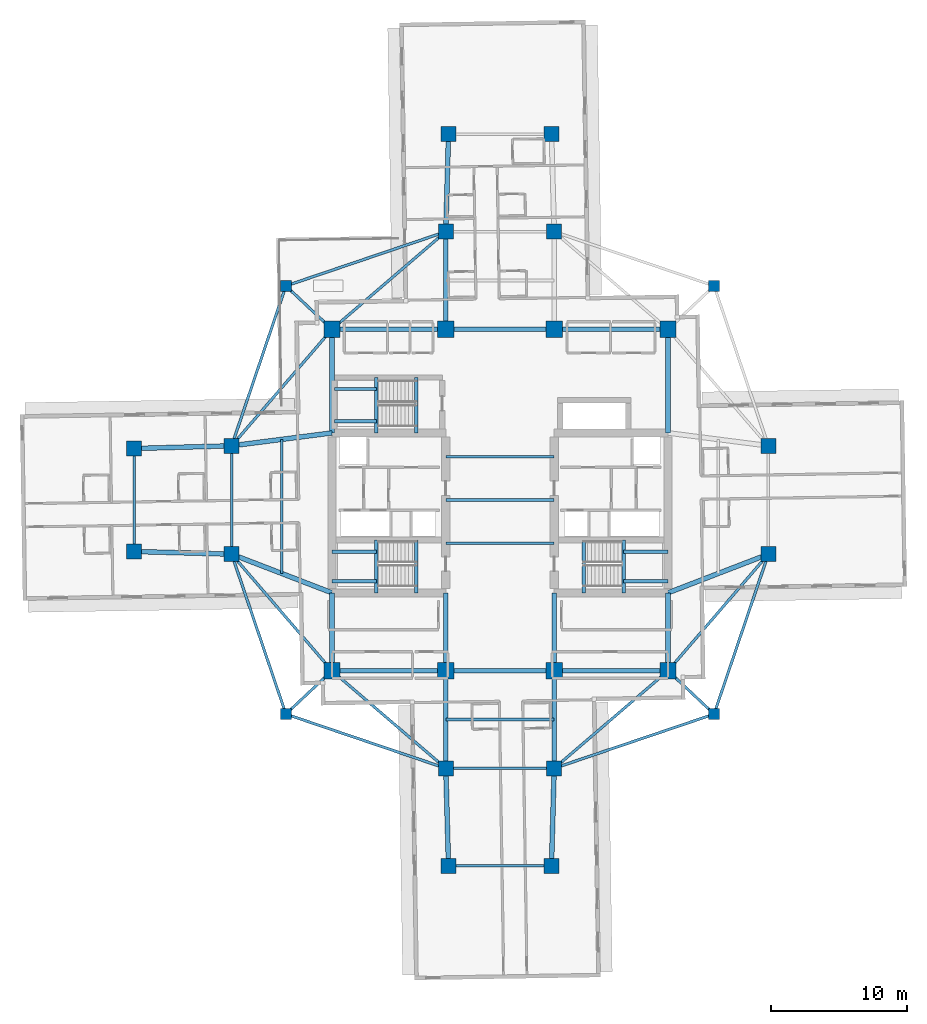
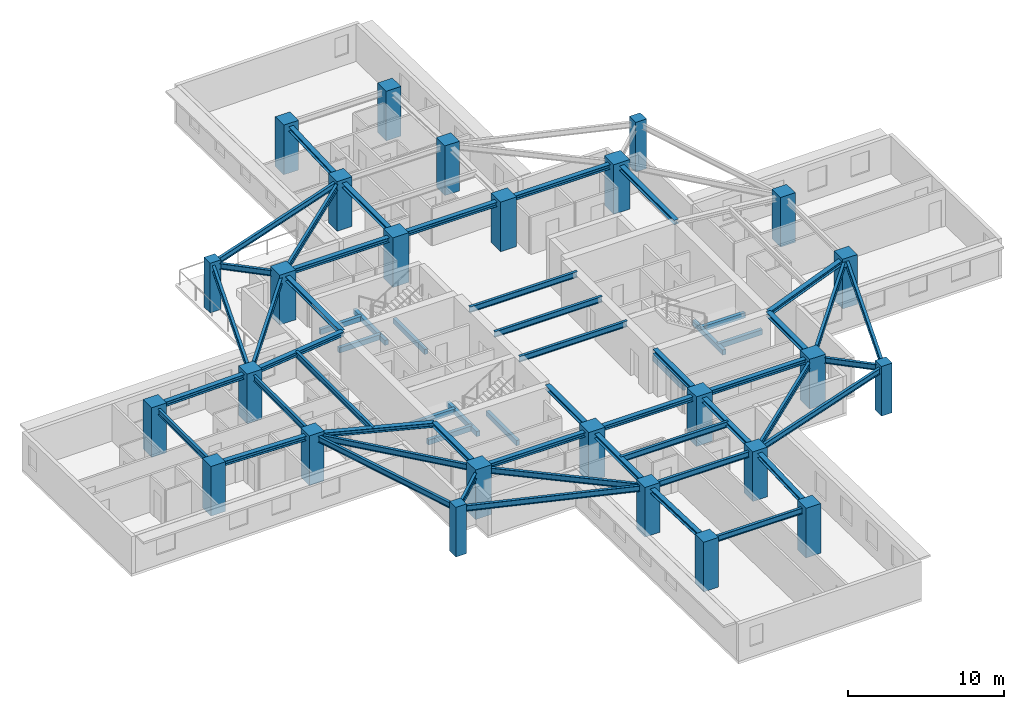
# One storey, part 1 of 13: 59 beams, 26 columns.
"""IFC4 building model written with IfcOpenShell, lengths in metres."""

from ifc_helpers import new_model, si_unit, direction, frame, origin, origin_2d, place, context, subcontext, project, spatial, rectangle, i_section, extrude, material, material_profile, profile_set, type_object, element, save


model = new_model("IFC4")

# Units and contexts
model_context = context("Model", 3, precision=1e-05, world=origin(), true_north=direction((0.0, 1.0)))
body_context = subcontext(model_context, "Body", "Model", "MODEL_VIEW")
ifc_project = project(units=[si_unit("LENGTHUNIT", "METRE"), si_unit("AREAUNIT", "SQUARE_METRE"), si_unit("VOLUMEUNIT", "CUBIC_METRE"), si_unit("PLANEANGLEUNIT", "RADIAN"), si_unit("MASSUNIT", "GRAM", prefix="KILO")], contexts=[model_context])

# Site, building, storey
site_placement = place(None, origin())
site = spatial("IfcSite", under=ifc_project, at=site_placement, CompositionType="ELEMENT")
building_placement = place(site_placement, origin())
building = spatial("IfcBuilding", under=site, at=building_placement, Name="Qingluan Cross Belvedere", CompositionType="ELEMENT")
storey_placement = place(building_placement, frame((0.0, 0.0, 139.800048828125)))
storey = spatial("IfcBuildingStorey", under=building, at=storey_placement, Name="L35", CompositionType="ELEMENT", Elevation=139.800048828125)

# Columns
ifc_material_1 = material(Name="Concrete C60", Category="concrete")
ifc_material_profile_1 = material_profile(ifc_material_1, rectangle(XDim=1.10009765625, YDim=1.10009765625, at=origin_2d()), Name="RC1100x1100")
ifc_profile_set_1 = profile_set([ifc_material_profile_1], Name="Concrete C60")
column_type_1 = type_object("IfcColumnType", Name="Column_RC1100x1100", PredefinedType="COLUMN", material=ifc_profile_set_1)
for number, where, z_axis, x_axis, name in (
    (1, (19.800048828125, -4.0, 0.0), (0.0, 0.0, 1.0), (1.0, 0.0, 0.0), "Arm column L35-EIA"),
    (2, (19.800048828125, 4.0, 0.0), (0.0, 0.0, 1.0), (1.0, 0.0, 0.0), "Arm column L35-EIB"),
    (3, (-19.800048828125, -4.0, 0.0), (0.0, 0.0, 1.0), (1.0, 0.0, 0.0), "Arm column L35-WIA"),
    (4, (-19.800048828125, 4.0, 0.0), (0.0, 0.0, 1.0), (1.0, 0.0, 0.0), "Arm column L35-WIB"),
    (5, (-4.0, -19.800048828125, 0.0), (0.0, 0.0, 1.0), (1.0, 0.0, 0.0), "Arm column L35-SIA"),
    (6, (4.0, -19.800048828125, 0.0), (0.0, 0.0, 1.0), (1.0, 0.0, 0.0), "Arm column L35-SIB"),
    (7, (-4.0, 19.800048828125, 0.0), (0.0, 0.0, 1.0), (1.0, 0.0, 0.0), "Arm column L35-NIA"),
    (8, (4.0, 19.800048828125, 0.0), (0.0, 0.0, 1.0), (1.0, 0.0, 0.0), "Arm column L35-NIB"),
    (9, (-27.0, -3.800048828125, 0.0), (0.0, 0.0, 1.0), (1.0, 0.0, 0.0), "Arm column L35-WOA"),
    (10, (-27.0, 3.800048828125, 0.0), (0.0, 0.0, 1.0), (1.0, 0.0, 0.0), "Arm column L35-WOB"),
    (11, (-3.800048828125, -27.0, 0.0), (0.0, 0.0, 1.0), (1.0, 0.0, 0.0), "Arm column L35-SOA"),
    (12, (3.800048828125, -27.0, 0.0), (0.0, 0.0, 1.0), (1.0, 0.0, 0.0), "Arm column L35-SOB"),
    (13, (-3.800048828125, 27.0, 0.0), (0.0, 0.0, 1.0), (1.0, 0.0, 0.0), "Arm column L35-NOA"),
    (14, (3.800048828125, 27.0, 0.0), (0.0, 0.0, 1.0), (1.0, 0.0, 0.0), "Arm column L35-NOB"),
):
    element("IfcColumn", number, at=place(storey_placement, frame(where, z_axis=z_axis, x_axis=x_axis)), inside=storey, type_object=column_type_1, Name=name, PredefinedType="COLUMN", context=body_context, shape_type="SweptSolid", body=[
        extrude(rectangle(XDim=1.10009765625, YDim=1.10009765625, at=origin_2d()), origin(), (0.0, 0.0, 1.0), 3.89990234375),
    ])
ifc_material_2 = material(Name="Concrete C60", Category="concrete")
ifc_material_profile_2 = material_profile(ifc_material_2, rectangle(XDim=1.199951171875, YDim=1.199951171875, at=origin_2d()), Name="RC1200x1200")
ifc_profile_set_2 = profile_set([ifc_material_profile_2], Name="Concrete C60")
column_type_2 = type_object("IfcColumnType", Name="Column_RC1200x1200", PredefinedType="COLUMN", material=ifc_profile_set_2)
for number, where, z_axis, x_axis, name in (
    (15, (-12.39990234375, -12.60009765625, 0.0), (0.0, 0.0, 1.0), (1.0, 0.0, 0.0), "Hub column L35-HC1"),
    (16, (12.39990234375, -12.60009765625, 0.0), (0.0, 0.0, 1.0), (1.0, 0.0, 0.0), "Hub column L35-HC2"),
    (17, (12.39990234375, 12.60009765625, 0.0), (0.0, 0.0, 1.0), (1.0, 0.0, 0.0), "Hub column L35-HC3"),
    (18, (-12.39990234375, 12.60009765625, 0.0), (0.0, 0.0, 1.0), (1.0, 0.0, 0.0), "Hub column L35-HC4"),
    (19, (-4.0, -12.60009765625, 0.0), (0.0, 0.0, 1.0), (1.0, 0.0, 0.0), "Hub column L35-HC5"),
    (20, (4.0, -12.60009765625, 0.0), (0.0, 0.0, 1.0), (1.0, 0.0, 0.0), "Hub column L35-HC6"),
    (21, (4.0, 12.60009765625, 0.0), (0.0, 0.0, 1.0), (1.0, 0.0, 0.0), "Hub column L35-HC7"),
    (22, (-4.0, 12.60009765625, 0.0), (0.0, 0.0, 1.0), (1.0, 0.0, 0.0), "Hub column L35-HC8"),
):
    element("IfcColumn", number, at=place(storey_placement, frame(where, z_axis=z_axis, x_axis=x_axis)), inside=storey, type_object=column_type_2, Name=name, PredefinedType="COLUMN", context=body_context, shape_type="SweptSolid", body=[
        extrude(rectangle(XDim=1.199951171875, YDim=1.199951171875, at=origin_2d()), origin(), (0.0, 0.0, 1.0), 3.89990234375),
    ])
ifc_material_3 = material(Name="Concrete C50", Category="concrete")
ifc_material_profile_3 = material_profile(ifc_material_3, rectangle(XDim=0.800048828125, YDim=0.800048828125, at=origin_2d()), Name="RC800x800")
ifc_profile_set_3 = profile_set([ifc_material_profile_3], Name="Concrete C50")
column_type_3 = type_object("IfcColumnType", Name="Column_RC800x800", PredefinedType="COLUMN", material=ifc_profile_set_3)
for number, where, z_axis, x_axis, name in (
    (23, (15.800048828125, 15.800048828125, 0.0), (0.0, 0.0, 1.0), (1.0, 0.0, 0.0), "Corner column L35-RNE"),
    (24, (-15.800048828125, 15.800048828125, 0.0), (0.0, 0.0, 1.0), (1.0, 0.0, 0.0), "Corner column L35-RNW"),
    (25, (-15.800048828125, -15.800048828125, 0.0), (0.0, 0.0, 1.0), (1.0, 0.0, 0.0), "Corner column L35-RSW"),
    (26, (15.800048828125, -15.800048828125, 0.0), (0.0, 0.0, 1.0), (1.0, 0.0, 0.0), "Corner column L35-RSE"),
):
    element("IfcColumn", number, at=place(storey_placement, frame(where, z_axis=z_axis, x_axis=x_axis)), inside=storey, type_object=column_type_3, Name=name, PredefinedType="COLUMN", context=body_context, shape_type="SweptSolid", body=[
        extrude(rectangle(XDim=0.800048828125, YDim=0.800048828125, at=origin_2d()), origin(), (0.0, 0.0, 1.0), 3.89990234375),
    ])

# Beams
ifc_material_4 = material(Name="Concrete C45", Category="concrete")
ifc_material_profile_4 = material_profile(ifc_material_4, rectangle(XDim=0.25, YDim=0.39990234375, at=origin_2d()), Name="RC250x400")
ifc_profile_set_4 = profile_set([ifc_material_profile_4], Name="Concrete C45")
beam_type_1 = type_object("IfcBeamType", Name="RC_Lintel_RC250x400", PredefinedType="LINTEL", material=ifc_profile_set_4)
for number, where, z_axis, x_axis, name in (
    (27, (-6.179931640625, -6.85009765625, -0.199951171875), (0.0, 1.0, 0.0), (-1.0, 0.0, 0.0), "Stair ST1 landing beam L35"),
    (28, (6.179931640625, -6.85009765625, -0.199951171875), (0.0, 1.0, 0.0), (-1.0, 0.0, 0.0), "Stair ST2 landing beam L35"),
):
    element("IfcBeam", number, at=place(storey_placement, frame(where, z_axis=z_axis, x_axis=x_axis)), inside=storey, type_object=beam_type_1, Name=name, PredefinedType="LINTEL", context=body_context, shape_type="SweptSolid", body=[
        extrude(rectangle(XDim=0.25, YDim=0.39990234375, at=origin_2d()), origin(), (0.0, 0.0, 1.0), 3.89013671875),
    ])
beam_1_placement = place(storey_placement, frame((-6.179931640625, 4.949951171875, -0.199951171875), z_axis=(0.0, 1.0, 0.0), x_axis=(-1.0, 0.0, 0.0)))
element("IfcBeam", 29, at=beam_1_placement, inside=storey, type_object=beam_type_1, Name="Stair ST3 landing beam L35", PredefinedType="LINTEL", context=body_context, shape_type="SweptSolid", body=[
    extrude(rectangle(XDim=0.25, YDim=0.39990234375, at=origin_2d()), origin(), (0.0, 0.0, 1.0), 4.090087890625),
])
beam_2_placement = place(storey_placement, frame((-9.1298828125, -6.85009765625, 1.550048828125), z_axis=(0.0, 1.0, 0.0), x_axis=(-1.0, 0.0, 0.0)))
element("IfcBeam", 30, at=beam_2_placement, inside=storey, type_object=beam_type_1, Name="Stair ST1 beam A L35", PredefinedType="LINTEL", context=body_context, shape_type="SweptSolid", body=[
    extrude(rectangle(XDim=0.25, YDim=0.39990234375, at=origin_2d()), origin(), (0.0, 0.0, 1.0), 3.89013671875),
])
for number, where, z_axis, x_axis, name in (
    (31, (-12.39990234375, -6.0, 1.550048828125), (1.0, 0.0, 0.0), (0.0, 1.0, 0.0), "Stair ST1 beam B L35"),
    (32, (-12.39990234375, -3.81005859375, 1.550048828125), (1.0, 0.0, 0.0), (0.0, 1.0, 0.0), "Stair ST1 beam C L35"),
):
    element("IfcBeam", number, at=place(storey_placement, frame(where, z_axis=z_axis, x_axis=x_axis)), inside=storey, type_object=beam_type_1, Name=name, PredefinedType="LINTEL", context=body_context, shape_type="SweptSolid", body=[
        extrude(rectangle(XDim=0.25, YDim=0.39990234375, at=origin_2d()), origin(), (0.0, 0.0, 1.0), 3.27001953125),
    ])
beam_3_placement = place(storey_placement, frame((9.1298828125, -6.85009765625, 1.550048828125), z_axis=(0.0, 1.0, 0.0), x_axis=(-1.0, 0.0, 0.0)))
element("IfcBeam", 33, at=beam_3_placement, inside=storey, type_object=beam_type_1, Name="Stair ST2 beam A L35", PredefinedType="LINTEL", context=body_context, shape_type="SweptSolid", body=[
    extrude(rectangle(XDim=0.25, YDim=0.39990234375, at=origin_2d()), origin(), (0.0, 0.0, 1.0), 3.89013671875),
])
for number, where, z_axis, x_axis, name in (
    (34, (12.39990234375, -6.0, 1.550048828125), (-1.0, 0.0, 0.0), (0.0, -1.0, 0.0), "Stair ST2 beam B L35"),
    (35, (12.39990234375, -3.81005859375, 1.550048828125), (-1.0, 0.0, 0.0), (0.0, -1.0, 0.0), "Stair ST2 beam C L35"),
):
    element("IfcBeam", number, at=place(storey_placement, frame(where, z_axis=z_axis, x_axis=x_axis)), inside=storey, type_object=beam_type_1, Name=name, PredefinedType="LINTEL", context=body_context, shape_type="SweptSolid", body=[
        extrude(rectangle(XDim=0.25, YDim=0.39990234375, at=origin_2d()), origin(), (0.0, 0.0, 1.0), 3.27001953125),
    ])
beam_4_placement = place(storey_placement, frame((-9.1298828125, 4.949951171875, 1.550048828125), z_axis=(0.0, 1.0, 0.0), x_axis=(-1.0, 0.0, 0.0)))
element("IfcBeam", 36, at=beam_4_placement, inside=storey, type_object=beam_type_1, Name="Stair ST3 beam A L35", PredefinedType="LINTEL", context=body_context, shape_type="SweptSolid", body=[
    extrude(rectangle(XDim=0.25, YDim=0.39990234375, at=origin_2d()), origin(), (0.0, 0.0, 1.0), 4.090087890625),
])
for number, where, z_axis, x_axis, name in (
    (37, (-12.219970703125, 5.800048828125, 1.550048828125), (1.0, 0.0, 0.0), (0.0, 1.0, 0.0), "Stair ST3 beam B L35"),
    (38, (-12.219970703125, 8.18994140625, 1.550048828125), (1.0, 0.0, 0.0), (0.0, 1.0, 0.0), "Stair ST3 beam C L35"),
):
    element("IfcBeam", number, at=place(storey_placement, frame(where, z_axis=z_axis, x_axis=x_axis)), inside=storey, type_object=beam_type_1, Name=name, PredefinedType="LINTEL", context=body_context, shape_type="SweptSolid", body=[
        extrude(rectangle(XDim=0.25, YDim=0.39990234375, at=origin_2d()), origin(), (0.0, 0.0, 1.0), 3.090087890625),
    ])
ifc_material_5 = material(Name="Steel Q420GJB", Category="steel")
ifc_material_profile_5 = material_profile(ifc_material_5, i_section(OverallWidth=0.199951171875, OverallDepth=0.449951171875, WebThickness=0.009033203125, FlangeThickness=0.013916015625, FilletRadius=0.01611328125, at=origin_2d()), Name="HN450x200x9x14")
ifc_profile_set_5 = profile_set([ifc_material_profile_5], Name="Steel Q420GJB")
beam_type_2 = type_object("IfcBeamType", Name="Steel_Beam_HN450x200x9x14", PredefinedType="JOIST", material=ifc_profile_set_5)
beam_5_placement = place(storey_placement, frame((-12.39990234375, 12.60009765625, 3.425048828125), z_axis=(-0.728219948308, 0.685343495546, 0.0), x_axis=(-0.685343495546, -0.728219948308, 0.0)))
element("IfcBeam", 39, at=beam_5_placement, inside=storey, type_object=beam_type_2, Name="Corner beam 1 L35-RNW", PredefinedType="JOIST", context=body_context, shape_type="SweptSolid", body=[
    extrude(i_section(OverallWidth=0.199951171875, OverallDepth=0.449951171875, WebThickness=0.009033203125, FlangeThickness=0.013916015625, FilletRadius=0.01611328125, at=origin_2d()), origin(), (0.0, 0.0, 1.0), 4.669189453125),
])
for number, where, z_axis, x_axis, name in (
    (40, (-15.800048828125, 15.800048828125, 3.425048828125), (0.947066283324, 0.321038089628, 0.0), (-0.321038089628, 0.947066283324, 0.0), "Corner beam 2 L35-RNW"),
    (41, (-15.800048828125, 15.800048828125, 3.425048828125), (-0.321038089628, -0.947066283324, 0.0), (0.947066283324, -0.321038089628, 0.0), "Corner beam 3 L35-RNW"),
):
    element("IfcBeam", number, at=place(storey_placement, frame(where, z_axis=z_axis, x_axis=x_axis)), inside=storey, type_object=beam_type_2, Name=name, PredefinedType="JOIST", context=body_context, shape_type="SweptSolid", body=[
        extrude(i_section(OverallWidth=0.199951171875, OverallDepth=0.449951171875, WebThickness=0.009033203125, FlangeThickness=0.013916015625, FilletRadius=0.01611328125, at=origin_2d()), origin(), (0.0, 0.0, 1.0), 12.45947265625),
    ])
beam_6_placement = place(storey_placement, frame((-12.39990234375, 12.60009765625, 3.425048828125), z_axis=(-0.652245077546, -0.75800815221, 0.0), x_axis=(0.75800815221, -0.652245077546, 0.0)))
element("IfcBeam", 42, at=beam_6_placement, inside=storey, type_object=beam_type_2, Name="Corner beam 4 L35-RNW", PredefinedType="JOIST", context=body_context, shape_type="SweptSolid", body=[
    extrude(i_section(OverallWidth=0.199951171875, OverallDepth=0.449951171875, WebThickness=0.009033203125, FlangeThickness=0.013916015625, FilletRadius=0.01611328125, at=origin_2d()), origin(), (0.0, 0.0, 1.0), 11.345703125),
])
beam_7_placement = place(storey_placement, frame((-12.39990234375, 12.60009765625, 3.425048828125), z_axis=(0.759255044656, 0.650793190779, 0.0), x_axis=(-0.650793190779, 0.759255044656, 0.0)))
element("IfcBeam", 43, at=beam_7_placement, inside=storey, type_object=beam_type_2, Name="Corner beam 5 L35-RNW", PredefinedType="JOIST", context=body_context, shape_type="SweptSolid", body=[
    extrude(i_section(OverallWidth=0.199951171875, OverallDepth=0.449951171875, WebThickness=0.009033203125, FlangeThickness=0.013916015625, FilletRadius=0.01611328125, at=origin_2d()), origin(), (0.0, 0.0, 1.0), 11.063232421875),
])
beam_8_placement = place(storey_placement, frame((-12.39990234375, -12.60009765625, 3.425048828125), z_axis=(-0.728219948308, -0.685343495546, 0.0), x_axis=(0.685343495546, -0.728219948308, 0.0)))
element("IfcBeam", 44, at=beam_8_placement, inside=storey, type_object=beam_type_2, Name="Corner beam 1 L35-RSW", PredefinedType="JOIST", context=body_context, shape_type="SweptSolid", body=[
    extrude(i_section(OverallWidth=0.199951171875, OverallDepth=0.449951171875, WebThickness=0.009033203125, FlangeThickness=0.013916015625, FilletRadius=0.01611328125, at=origin_2d()), origin(), (0.0, 0.0, 1.0), 4.669189453125),
])
for number, where, z_axis, x_axis, name in (
    (45, (-15.800048828125, -15.800048828125, 3.425048828125), (0.947066283324, -0.321038089628, 0.0), (0.321038089628, 0.947066283324, 0.0), "Corner beam 2 L35-RSW"),
    (46, (-15.800048828125, -15.800048828125, 3.425048828125), (-0.321038089628, 0.947066283324, 0.0), (-0.947066283324, -0.321038089628, 0.0), "Corner beam 3 L35-RSW"),
):
    element("IfcBeam", number, at=place(storey_placement, frame(where, z_axis=z_axis, x_axis=x_axis)), inside=storey, type_object=beam_type_2, Name=name, PredefinedType="JOIST", context=body_context, shape_type="SweptSolid", body=[
        extrude(i_section(OverallWidth=0.199951171875, OverallDepth=0.449951171875, WebThickness=0.009033203125, FlangeThickness=0.013916015625, FilletRadius=0.01611328125, at=origin_2d()), origin(), (0.0, 0.0, 1.0), 12.45947265625),
    ])
beam_9_placement = place(storey_placement, frame((-12.39990234375, -12.60009765625, 3.425048828125), z_axis=(-0.652245077546, 0.75800815221, 0.0), x_axis=(-0.75800815221, -0.652245077546, 0.0)))
element("IfcBeam", 47, at=beam_9_placement, inside=storey, type_object=beam_type_2, Name="Corner beam 4 L35-RSW", PredefinedType="JOIST", context=body_context, shape_type="SweptSolid", body=[
    extrude(i_section(OverallWidth=0.199951171875, OverallDepth=0.449951171875, WebThickness=0.009033203125, FlangeThickness=0.013916015625, FilletRadius=0.01611328125, at=origin_2d()), origin(), (0.0, 0.0, 1.0), 11.345703125),
])
beam_10_placement = place(storey_placement, frame((-12.39990234375, -12.60009765625, 3.425048828125), z_axis=(0.759255044656, -0.650793190779, 0.0), x_axis=(0.650793190779, 0.759255044656, 0.0)))
element("IfcBeam", 48, at=beam_10_placement, inside=storey, type_object=beam_type_2, Name="Corner beam 5 L35-RSW", PredefinedType="JOIST", context=body_context, shape_type="SweptSolid", body=[
    extrude(i_section(OverallWidth=0.199951171875, OverallDepth=0.449951171875, WebThickness=0.009033203125, FlangeThickness=0.013916015625, FilletRadius=0.01611328125, at=origin_2d()), origin(), (0.0, 0.0, 1.0), 11.063232421875),
])
beam_11_placement = place(storey_placement, frame((12.39990234375, -12.60009765625, 3.425048828125), z_axis=(0.728219948308, -0.685343495546, 0.0), x_axis=(0.685343495546, 0.728219948308, 0.0)))
element("IfcBeam", 49, at=beam_11_placement, inside=storey, type_object=beam_type_2, Name="Corner beam 1 L35-RSE", PredefinedType="JOIST", context=body_context, shape_type="SweptSolid", body=[
    extrude(i_section(OverallWidth=0.199951171875, OverallDepth=0.449951171875, WebThickness=0.009033203125, FlangeThickness=0.013916015625, FilletRadius=0.01611328125, at=origin_2d()), origin(), (0.0, 0.0, 1.0), 4.669189453125),
])
for number, where, z_axis, x_axis, name in (
    (50, (15.800048828125, -15.800048828125, 3.425048828125), (-0.947066283324, -0.321038089628, 0.0), (0.321038089628, -0.947066283324, 0.0), "Corner beam 2 L35-RSE"),
    (51, (15.800048828125, -15.800048828125, 3.425048828125), (0.321038089628, 0.947066283324, 0.0), (-0.947066283324, 0.321038089628, 0.0), "Corner beam 3 L35-RSE"),
):
    element("IfcBeam", number, at=place(storey_placement, frame(where, z_axis=z_axis, x_axis=x_axis)), inside=storey, type_object=beam_type_2, Name=name, PredefinedType="JOIST", context=body_context, shape_type="SweptSolid", body=[
        extrude(i_section(OverallWidth=0.199951171875, OverallDepth=0.449951171875, WebThickness=0.009033203125, FlangeThickness=0.013916015625, FilletRadius=0.01611328125, at=origin_2d()), origin(), (0.0, 0.0, 1.0), 12.45947265625),
    ])
beam_12_placement = place(storey_placement, frame((12.39990234375, -12.60009765625, 3.425048828125), z_axis=(0.652245077546, 0.75800815221, 0.0), x_axis=(-0.75800815221, 0.652245077546, 0.0)))
element("IfcBeam", 52, at=beam_12_placement, inside=storey, type_object=beam_type_2, Name="Corner beam 4 L35-RSE", PredefinedType="JOIST", context=body_context, shape_type="SweptSolid", body=[
    extrude(i_section(OverallWidth=0.199951171875, OverallDepth=0.449951171875, WebThickness=0.009033203125, FlangeThickness=0.013916015625, FilletRadius=0.01611328125, at=origin_2d()), origin(), (0.0, 0.0, 1.0), 11.345703125),
])
beam_13_placement = place(storey_placement, frame((12.39990234375, -12.60009765625, 3.425048828125), z_axis=(-0.759255044656, -0.650793190779, 0.0), x_axis=(0.650793190779, -0.759255044656, 0.0)))
element("IfcBeam", 53, at=beam_13_placement, inside=storey, type_object=beam_type_2, Name="Corner beam 5 L35-RSE", PredefinedType="JOIST", context=body_context, shape_type="SweptSolid", body=[
    extrude(i_section(OverallWidth=0.199951171875, OverallDepth=0.449951171875, WebThickness=0.009033203125, FlangeThickness=0.013916015625, FilletRadius=0.01611328125, at=origin_2d()), origin(), (0.0, 0.0, 1.0), 11.063232421875),
])
for number, where, z_axis, x_axis, name in (
    (54, (-4.0, -3.199951171875, 3.425048828125), (1.0, 0.0, 0.0), (0.0, 1.0, 0.0), "Hall beam L35-CH1"),
    (55, (-4.0, 0.0, 3.425048828125), (1.0, 0.0, 0.0), (0.0, 1.0, 0.0), "Hall beam L35-CH2"),
    (56, (-4.0, 3.199951171875, 3.425048828125), (1.0, 0.0, 0.0), (0.0, 1.0, 0.0), "Hall beam L35-CH3"),
    (57, (-19.800048828125, -4.0, 3.425048828125), (0.0, 1.0, 0.0), (-1.0, 0.0, 0.0), "Arm W tie L35"),
):
    element("IfcBeam", number, at=place(storey_placement, frame(where, z_axis=z_axis, x_axis=x_axis)), inside=storey, type_object=beam_type_2, Name=name, PredefinedType="JOIST", context=body_context, shape_type="SweptSolid", body=[
        extrude(i_section(OverallWidth=0.199951171875, OverallDepth=0.449951171875, WebThickness=0.009033203125, FlangeThickness=0.013916015625, FilletRadius=0.01611328125, at=origin_2d()), origin(), (0.0, 0.0, 1.0), 8.0),
    ])
beam_14_placement = place(storey_placement, frame((-16.10009765625, -5.425048828125, 3.425048828125), z_axis=(0.0, 1.0, 0.0), x_axis=(-1.0, 0.0, 0.0)))
element("IfcBeam", 58, at=beam_14_placement, inside=storey, type_object=beam_type_2, Name="Arm W beam L35", PredefinedType="JOIST", context=body_context, shape_type="SweptSolid", body=[
    extrude(i_section(OverallWidth=0.199951171875, OverallDepth=0.449951171875, WebThickness=0.009033203125, FlangeThickness=0.013916015625, FilletRadius=0.01611328125, at=origin_2d()), origin(), (0.0, 0.0, 1.0), 9.900146484375),
])
beam_15_placement = place(storey_placement, frame((-27.0, -3.800048828125, 3.425048828125), z_axis=(0.0, 1.0, 0.0), x_axis=(-1.0, 0.0, 0.0)))
element("IfcBeam", 59, at=beam_15_placement, inside=storey, type_object=beam_type_2, Name="Arm W tip transverse beam L35", PredefinedType="JOIST", context=body_context, shape_type="SweptSolid", body=[
    extrude(i_section(OverallWidth=0.199951171875, OverallDepth=0.449951171875, WebThickness=0.009033203125, FlangeThickness=0.013916015625, FilletRadius=0.01611328125, at=origin_2d()), origin(), (0.0, 0.0, 1.0), 7.60009765625),
])
for number, where, z_axis, x_axis, name in (
    (60, (-4.0, -19.800048828125, 3.425048828125), (1.0, 0.0, 0.0), (0.0, 1.0, 0.0), "Arm S tie L35"),
    (61, (-4.0, -16.199951171875, 3.425048828125), (1.0, 0.0, 0.0), (0.0, 1.0, 0.0), "Arm S beam L35"),
):
    element("IfcBeam", number, at=place(storey_placement, frame(where, z_axis=z_axis, x_axis=x_axis)), inside=storey, type_object=beam_type_2, Name=name, PredefinedType="JOIST", context=body_context, shape_type="SweptSolid", body=[
        extrude(i_section(OverallWidth=0.199951171875, OverallDepth=0.449951171875, WebThickness=0.009033203125, FlangeThickness=0.013916015625, FilletRadius=0.01611328125, at=origin_2d()), origin(), (0.0, 0.0, 1.0), 8.0),
    ])
beam_16_placement = place(storey_placement, frame((-3.800048828125, -27.0, 3.425048828125), z_axis=(1.0, 0.0, 0.0), x_axis=(0.0, 1.0, 0.0)))
element("IfcBeam", 62, at=beam_16_placement, inside=storey, type_object=beam_type_2, Name="Arm S tip transverse beam L35", PredefinedType="JOIST", context=body_context, shape_type="SweptSolid", body=[
    extrude(i_section(OverallWidth=0.199951171875, OverallDepth=0.449951171875, WebThickness=0.009033203125, FlangeThickness=0.013916015625, FilletRadius=0.01611328125, at=origin_2d()), origin(), (0.0, 0.0, 1.0), 7.60009765625),
])
ifc_material_6 = material(Name="Steel Q420GJB", Category="steel")
ifc_material_profile_6 = material_profile(ifc_material_6, i_section(OverallWidth=0.35009765625, OverallDepth=0.35009765625, WebThickness=0.011962890625, FlangeThickness=0.01904296875, FilletRadius=0.02001953125, at=origin_2d()), Name="HW350x350x12x19")
ifc_profile_set_6 = profile_set([ifc_material_profile_6], Name="Steel Q420GJB")
beam_type_3 = type_object("IfcBeamType", Name="Steel_Girder_HW350x350x12x19", PredefinedType="USERDEFINED", material=ifc_profile_set_6)
beam_17_placement = place(storey_placement, frame((-12.39990234375, -12.60009765625, 3.474853515625), z_axis=(1.0, 0.0, 0.0), x_axis=(0.0, 1.0, 0.0)))
element("IfcBeam", 63, at=beam_17_placement, inside=storey, type_object=beam_type_3, Name="Hub girder L35-HG-S1", ObjectType="GIRDER", PredefinedType="USERDEFINED", context=body_context, shape_type="SweptSolid", body=[
    extrude(i_section(OverallWidth=0.35009765625, OverallDepth=0.35009765625, WebThickness=0.011962890625, FlangeThickness=0.01904296875, FilletRadius=0.02001953125, at=origin_2d()), origin(), (0.0, 0.0, 1.0), 8.39990234375),
])
beam_18_placement = place(storey_placement, frame((-4.0, -12.60009765625, 3.474853515625), z_axis=(1.0, 0.0, 0.0), x_axis=(0.0, 1.0, 0.0)))
element("IfcBeam", 64, at=beam_18_placement, inside=storey, type_object=beam_type_3, Name="Hub girder L35-HG-S2", ObjectType="GIRDER", PredefinedType="USERDEFINED", context=body_context, shape_type="SweptSolid", body=[
    extrude(i_section(OverallWidth=0.35009765625, OverallDepth=0.35009765625, WebThickness=0.011962890625, FlangeThickness=0.01904296875, FilletRadius=0.02001953125, at=origin_2d()), origin(), (0.0, 0.0, 1.0), 8.0),
])
for number, where, z_axis, x_axis, name in (
    (65, (4.0, -12.60009765625, 3.474853515625), (1.0, 0.0, 0.0), (0.0, 1.0, 0.0), "Hub girder L35-HG-S3"),
    (66, (-12.39990234375, 12.60009765625, 3.474853515625), (1.0, 0.0, 0.0), (0.0, 1.0, 0.0), "Hub girder L35-HG-N1"),
):
    element("IfcBeam", number, at=place(storey_placement, frame(where, z_axis=z_axis, x_axis=x_axis)), inside=storey, type_object=beam_type_3, Name=name, ObjectType="GIRDER", PredefinedType="USERDEFINED", context=body_context, shape_type="SweptSolid", body=[
        extrude(i_section(OverallWidth=0.35009765625, OverallDepth=0.35009765625, WebThickness=0.011962890625, FlangeThickness=0.01904296875, FilletRadius=0.02001953125, at=origin_2d()), origin(), (0.0, 0.0, 1.0), 8.39990234375),
    ])
beam_19_placement = place(storey_placement, frame((-4.0, 12.60009765625, 3.474853515625), z_axis=(1.0, 0.0, 0.0), x_axis=(0.0, 1.0, 0.0)))
element("IfcBeam", 67, at=beam_19_placement, inside=storey, type_object=beam_type_3, Name="Hub girder L35-HG-N2", ObjectType="GIRDER", PredefinedType="USERDEFINED", context=body_context, shape_type="SweptSolid", body=[
    extrude(i_section(OverallWidth=0.35009765625, OverallDepth=0.35009765625, WebThickness=0.011962890625, FlangeThickness=0.01904296875, FilletRadius=0.02001953125, at=origin_2d()), origin(), (0.0, 0.0, 1.0), 8.0),
])
beam_20_placement = place(storey_placement, frame((4.0, 12.60009765625, 3.474853515625), z_axis=(1.0, 0.0, 0.0), x_axis=(0.0, 1.0, 0.0)))
element("IfcBeam", 68, at=beam_20_placement, inside=storey, type_object=beam_type_3, Name="Hub girder L35-HG-N3", ObjectType="GIRDER", PredefinedType="USERDEFINED", context=body_context, shape_type="SweptSolid", body=[
    extrude(i_section(OverallWidth=0.35009765625, OverallDepth=0.35009765625, WebThickness=0.011962890625, FlangeThickness=0.01904296875, FilletRadius=0.02001953125, at=origin_2d()), origin(), (0.0, 0.0, 1.0), 8.39990234375),
])
beam_21_placement = place(storey_placement, frame((-12.39990234375, -12.60009765625, 3.474853515625), z_axis=(0.0, 1.0, 0.0), x_axis=(-1.0, 0.0, 0.0)))
element("IfcBeam", 69, at=beam_21_placement, inside=storey, type_object=beam_type_3, Name="Hub girder L35-HG-W1", ObjectType="GIRDER", PredefinedType="USERDEFINED", context=body_context, shape_type="SweptSolid", body=[
    extrude(i_section(OverallWidth=0.35009765625, OverallDepth=0.35009765625, WebThickness=0.011962890625, FlangeThickness=0.01904296875, FilletRadius=0.02001953125, at=origin_2d()), origin(), (0.0, 0.0, 1.0), 5.75),
])
beam_22_placement = place(storey_placement, frame((-12.39990234375, 4.949951171875, 3.474853515625), z_axis=(0.0, 1.0, 0.0), x_axis=(-1.0, 0.0, 0.0)))
element("IfcBeam", 70, at=beam_22_placement, inside=storey, type_object=beam_type_3, Name="Hub girder L35-HG-W2", ObjectType="GIRDER", PredefinedType="USERDEFINED", context=body_context, shape_type="SweptSolid", body=[
    extrude(i_section(OverallWidth=0.35009765625, OverallDepth=0.35009765625, WebThickness=0.011962890625, FlangeThickness=0.01904296875, FilletRadius=0.02001953125, at=origin_2d()), origin(), (0.0, 0.0, 1.0), 7.650146484375),
])
beam_23_placement = place(storey_placement, frame((12.39990234375, -12.60009765625, 3.474853515625), z_axis=(0.0, 1.0, 0.0), x_axis=(-1.0, 0.0, 0.0)))
element("IfcBeam", 71, at=beam_23_placement, inside=storey, type_object=beam_type_3, Name="Hub girder L35-HG-E1", ObjectType="GIRDER", PredefinedType="USERDEFINED", context=body_context, shape_type="SweptSolid", body=[
    extrude(i_section(OverallWidth=0.35009765625, OverallDepth=0.35009765625, WebThickness=0.011962890625, FlangeThickness=0.01904296875, FilletRadius=0.02001953125, at=origin_2d()), origin(), (0.0, 0.0, 1.0), 5.75),
])
beam_24_placement = place(storey_placement, frame((12.39990234375, 4.949951171875, 3.474853515625), z_axis=(0.0, 1.0, 0.0), x_axis=(-1.0, 0.0, 0.0)))
element("IfcBeam", 72, at=beam_24_placement, inside=storey, type_object=beam_type_3, Name="Hub girder L35-HG-E2", ObjectType="GIRDER", PredefinedType="USERDEFINED", context=body_context, shape_type="SweptSolid", body=[
    extrude(i_section(OverallWidth=0.35009765625, OverallDepth=0.35009765625, WebThickness=0.011962890625, FlangeThickness=0.01904296875, FilletRadius=0.02001953125, at=origin_2d()), origin(), (0.0, 0.0, 1.0), 7.650146484375),
])
for number, where, z_axis, x_axis, name in (
    (73, (-4.0, -12.60009765625, 3.474853515625), (0.0, 1.0, 0.0), (-1.0, 0.0, 0.0), "Hub girder L35-HG-CW"),
    (74, (4.0, -12.60009765625, 3.474853515625), (0.0, 1.0, 0.0), (-1.0, 0.0, 0.0), "Hub girder L35-HG-CE"),
):
    element("IfcBeam", number, at=place(storey_placement, frame(where, z_axis=z_axis, x_axis=x_axis)), inside=storey, type_object=beam_type_3, Name=name, ObjectType="GIRDER", PredefinedType="USERDEFINED", context=body_context, shape_type="SweptSolid", body=[
        extrude(i_section(OverallWidth=0.35009765625, OverallDepth=0.35009765625, WebThickness=0.011962890625, FlangeThickness=0.01904296875, FilletRadius=0.02001953125, at=origin_2d()), origin(), (0.0, 0.0, 1.0), 5.75),
    ])
for number, where, z_axis, x_axis, name in (
    (75, (12.39990234375, -6.85009765625, 3.474853515625), (0.933181258889, 0.359406090735, 0.0), (-0.359406090735, 0.933181258889, 0.0), "Arm E radial girder A L35"),
    (76, (-12.39990234375, -6.85009765625, 3.474853515625), (-0.933181258889, 0.359406090735, 0.0), (-0.359406090735, -0.933181258889, 0.0), "Arm W radial girder A L35"),
):
    element("IfcBeam", number, at=place(storey_placement, frame(where, z_axis=z_axis, x_axis=x_axis)), inside=storey, type_object=beam_type_3, Name=name, ObjectType="GIRDER", PredefinedType="USERDEFINED", context=body_context, shape_type="SweptSolid", body=[
        extrude(i_section(OverallWidth=0.35009765625, OverallDepth=0.35009765625, WebThickness=0.011962890625, FlangeThickness=0.01904296875, FilletRadius=0.02001953125, at=origin_2d()), origin(), (0.0, 0.0, 1.0), 7.929931640625),
    ])
beam_25_placement = place(storey_placement, frame((-12.39990234375, 4.949951171875, 3.474853515625), z_axis=(-0.991861120628, -0.12732445714, 0.0), x_axis=(0.12732445714, -0.991861120628, 0.0)))
element("IfcBeam", 77, at=beam_25_placement, inside=storey, type_object=beam_type_3, Name="Arm W radial girder B L35", ObjectType="GIRDER", PredefinedType="USERDEFINED", context=body_context, shape_type="SweptSolid", body=[
    extrude(i_section(OverallWidth=0.35009765625, OverallDepth=0.35009765625, WebThickness=0.011962890625, FlangeThickness=0.01904296875, FilletRadius=0.02001953125, at=origin_2d()), origin(), (0.0, 0.0, 1.0), 7.4609375),
])
for number, where, z_axis, x_axis, name in (
    (78, (-19.800048828125, -4.0, 3.474853515625), (-0.999614603568, 0.027760481514, 0.0), (-0.027760481514, -0.999614603568, 0.0), "Arm W outer radial girder A L35"),
    (79, (-19.800048828125, 4.0, 3.474853515625), (-0.999614603568, -0.027760481514, 0.0), (0.027760481514, -0.999614603568, 0.0), "Arm W outer radial girder B L35"),
):
    element("IfcBeam", number, at=place(storey_placement, frame(where, z_axis=z_axis, x_axis=x_axis)), inside=storey, type_object=beam_type_3, Name=name, ObjectType="GIRDER", PredefinedType="USERDEFINED", context=body_context, shape_type="SweptSolid", body=[
        extrude(i_section(OverallWidth=0.35009765625, OverallDepth=0.35009765625, WebThickness=0.011962890625, FlangeThickness=0.01904296875, FilletRadius=0.02001953125, at=origin_2d()), origin(), (0.0, 0.0, 1.0), 7.20263671875),
    ])
beam_26_placement = place(storey_placement, frame((-4.0, 12.60009765625, 3.474853515625), z_axis=(0.0, 1.0, 0.0), x_axis=(-1.0, 0.0, 0.0)))
element("IfcBeam", 80, at=beam_26_placement, inside=storey, type_object=beam_type_3, Name="Arm N radial girder A L35", ObjectType="GIRDER", PredefinedType="USERDEFINED", context=body_context, shape_type="SweptSolid", body=[
    extrude(i_section(OverallWidth=0.35009765625, OverallDepth=0.35009765625, WebThickness=0.011962890625, FlangeThickness=0.01904296875, FilletRadius=0.02001953125, at=origin_2d()), origin(), (0.0, 0.0, 1.0), 7.199951171875),
])
beam_27_placement = place(storey_placement, frame((-4.0, 19.800048828125, 3.474853515625), z_axis=(0.027760481514, 0.999614603568, 0.0), x_axis=(-0.999614603568, 0.027760481514, 0.0)))
element("IfcBeam", 81, at=beam_27_placement, inside=storey, type_object=beam_type_3, Name="Arm N outer radial girder A L35", ObjectType="GIRDER", PredefinedType="USERDEFINED", context=body_context, shape_type="SweptSolid", body=[
    extrude(i_section(OverallWidth=0.35009765625, OverallDepth=0.35009765625, WebThickness=0.011962890625, FlangeThickness=0.01904296875, FilletRadius=0.02001953125, at=origin_2d()), origin(), (0.0, 0.0, 1.0), 7.20263671875),
])
for number, where, z_axis, x_axis, name in (
    (82, (-4.0, -12.60009765625, 3.474853515625), (0.0, -1.0, 0.0), (1.0, 0.0, 0.0), "Arm S radial girder A L35"),
    (83, (4.0, -12.60009765625, 3.474853515625), (0.0, -1.0, 0.0), (1.0, 0.0, 0.0), "Arm S radial girder B L35"),
):
    element("IfcBeam", number, at=place(storey_placement, frame(where, z_axis=z_axis, x_axis=x_axis)), inside=storey, type_object=beam_type_3, Name=name, ObjectType="GIRDER", PredefinedType="USERDEFINED", context=body_context, shape_type="SweptSolid", body=[
        extrude(i_section(OverallWidth=0.35009765625, OverallDepth=0.35009765625, WebThickness=0.011962890625, FlangeThickness=0.01904296875, FilletRadius=0.02001953125, at=origin_2d()), origin(), (0.0, 0.0, 1.0), 7.199951171875),
    ])
for number, where, z_axis, x_axis, name in (
    (84, (-4.0, -19.800048828125, 3.474853515625), (0.027760481514, -0.999614603568, 0.0), (0.999614603568, 0.027760481514, 0.0), "Arm S outer radial girder A L35"),
    (85, (4.0, -19.800048828125, 3.474853515625), (-0.027760481514, -0.999614603568, 0.0), (0.999614603568, -0.027760481514, 0.0), "Arm S outer radial girder B L35"),
):
    element("IfcBeam", number, at=place(storey_placement, frame(where, z_axis=z_axis, x_axis=x_axis)), inside=storey, type_object=beam_type_3, Name=name, ObjectType="GIRDER", PredefinedType="USERDEFINED", context=body_context, shape_type="SweptSolid", body=[
        extrude(i_section(OverallWidth=0.35009765625, OverallDepth=0.35009765625, WebThickness=0.011962890625, FlangeThickness=0.01904296875, FilletRadius=0.02001953125, at=origin_2d()), origin(), (0.0, 0.0, 1.0), 7.20263671875),
    ])

save(model, "model.ifc")
